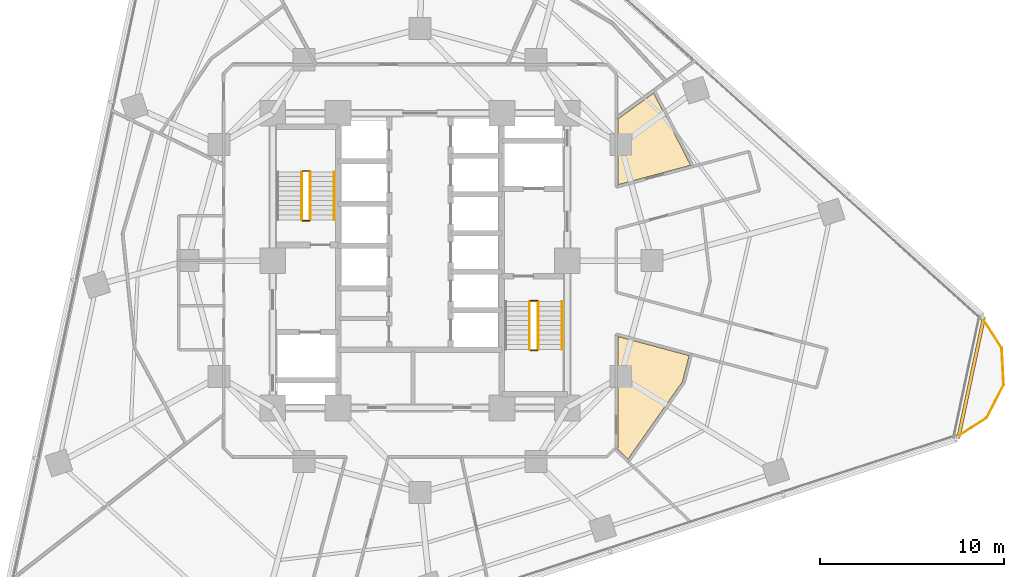
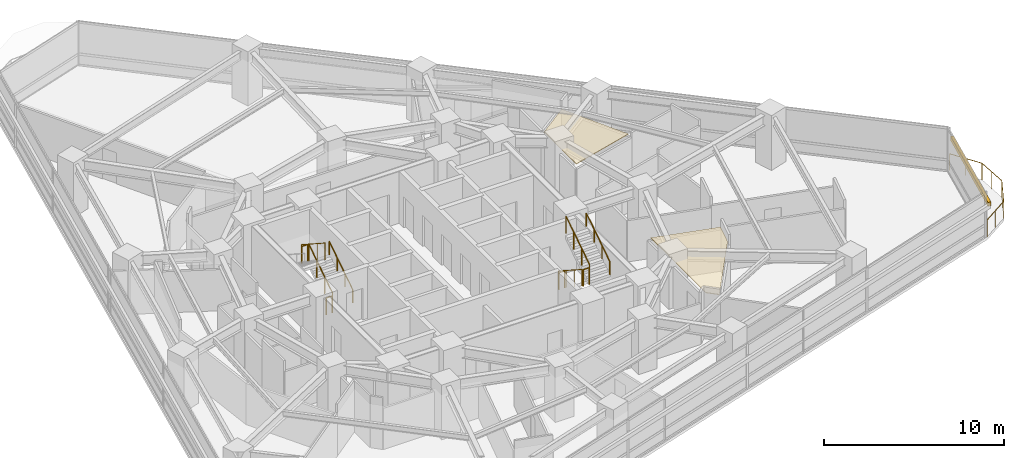
# One storey, part 12 of 13: 11 railings, 2 coverings, 1 shading device.
"""IFC4 building model written with IfcOpenShell, lengths in metres."""

from ifc_helpers import new_model, si_unit, direction, frame, origin, origin_2d, place, context, subcontext, project, spatial, polyline, rectangle, circle, outline, extrude, material, layer, layer_set, type_object, element, save


model = new_model("IFC4")

# Units and contexts
model_context = context("Model", 3, precision=1e-05, world=origin(), true_north=direction((0.0, 1.0)))
body_context = subcontext(model_context, "Body", "Model", "MODEL_VIEW")
ifc_project = project(units=[si_unit("LENGTHUNIT", "METRE"), si_unit("AREAUNIT", "SQUARE_METRE"), si_unit("VOLUMEUNIT", "CUBIC_METRE"), si_unit("PLANEANGLEUNIT", "RADIAN"), si_unit("MASSUNIT", "GRAM", prefix="KILO")], contexts=[model_context])

# Site, building, storey
site_placement = place(None, origin())
site = spatial("IfcSite", under=ifc_project, at=site_placement, CompositionType="ELEMENT")
building_placement = place(site_placement, origin())
building = spatial("IfcBuilding", under=site, at=building_placement, Name="Terralouvre Media Tower", CompositionType="ELEMENT")
storey_placement = place(building_placement, frame((0.0, 0.0, 101.39990234375)))
storey = spatial("IfcBuildingStorey", under=building, at=storey_placement, Name="L25", CompositionType="ELEMENT", Elevation=101.39990234375)

# Coverings
ifc_material_1 = material(Name="Perforated aluminium acoustic ceiling baffle", Category="aluminium")
ifc_layer_1 = layer(ifc_material_1, 0.0400390625, Name="Perforated Acoustic Metal Tile Ceiling CL-AC1")
ifc_layer_set_1 = layer_set([ifc_layer_1], Name="Perforated aluminium acoustic ceiling baffle")
covering_type = type_object("IfcCoveringType", Name="Perforated Acoustic Metal Tile Ceiling CL-AC1", PredefinedType="CEILING", material=ifc_layer_set_1)
covering_1_placement = place(storey_placement, frame((0.0, 0.0, 2.97998046875), z_axis=(0.0, 0.0, 1.0), x_axis=(0.951056516295, 0.309016994375, 0.0)))
element("IfcCovering", 1, at=covering_1_placement, inside=storey, type_object=covering_type, Name="L25 Club Reading Library 3 Acoustic Ceiling", PredefinedType="CEILING", context=body_context, shape_type="SweptSolid", body=[
    extrude(outline(polyline([(7.418212890625, -13.738525390625), (11.52783203125, -10.65625), (12.308837890625, -9.423828125), (8.949951171875, -7.242431640625), (7.08740234375, -12.97509765625), (7.083740234375, -12.984375), (7.07958984375, -12.9931640625), (7.07421875, -13.00146484375), (7.068359375, -13.00927734375), (7.0615234375, -13.016357421875), (7.05419921875, -13.022705078125), (7.046142578125, -13.0283203125), (7.04248046875, -13.030517578125), (7.418212890625, -13.738525390625)])), origin(), (0.0, 0.0, 1.0), 0.0400390625),
])
covering_2_placement = place(storey_placement, frame((0.0, 0.0, 2.97998046875), z_axis=(0.0, 0.0, 1.0), x_axis=(0.951056516295, 0.309016994375, 0.0)))
element("IfcCovering", 2, at=covering_2_placement, inside=storey, type_object=covering_type, Name="L25 Wellness Club Reception 5 Acoustic Ceiling", PredefinedType="CEILING", context=body_context, shape_type="SweptSolid", body=[
    extrude(outline(polyline([(12.599365234375, 3.98876953125), (11.497802734375, 0.5986328125), (15.578125, 0.385498046875), (14.880126953125, 4.729736328125), (12.599365234375, 3.98876953125)])), origin(), (0.0, 0.0, 1.0), 0.0400390625),
])

# Railings
ifc_material_2 = material(Name="Stainless steel 316 handrail and balustrade", Category="steel")
ifc_layer_2 = layer(ifc_material_2, 0.06005859375, Name="Roof Edge Safety Guardrail GR-ROOF1")
ifc_layer_set_2 = layer_set([ifc_layer_2], Name="Stainless steel 316 handrail and balustrade")
railing_type_1 = type_object("IfcRailingType", Name="Roof Edge Safety Guardrail GR-ROOF1", PredefinedType="GUARDRAIL", material=ifc_layer_set_2)
railing_1_placement = place(storey_placement, frame((29.105224609375, -9.6201171875, 0.0)))
element("IfcRailing", 3, at=railing_1_placement, inside=storey, type_object=railing_type_1, Name="L25 Wind-Corner Perimeter Safety Guardrail C1", PredefinedType="GUARDRAIL", context=body_context, shape_type="SweptSolid", body=[
    extrude(circle(Radius=0.02099609375, at=origin_2d()), frame((0.0, 0.0, 1.12890625), z_axis=(0.838760176544, 0.544501025016, 0.0), x_axis=(-0.544501025016, 0.838760176544, 0.0)), (0.0, 0.0, 1.0), 2.0078125),
    extrude(circle(Radius=0.02099609375, at=origin_2d()), frame((1.68408203125, 1.09326171875, 1.12890625), z_axis=(0.454107952828, 0.890946669099, 0.0), x_axis=(-0.890946669099, 0.454107952828, 0.0)), (0.0, 0.0, 1.0), 2.007568359375),
    extrude(circle(Radius=0.02099609375, at=origin_2d()), frame((2.595703125, 2.8818359375, 1.12890625), z_axis=(-0.052412032372, 0.998625544868, 0.0), x_axis=(-0.998625544868, -0.052412032372, 0.0)), (0.0, 0.0, 1.0), 2.007568359375),
    extrude(circle(Radius=0.02099609375, at=origin_2d()), frame((2.490478515625, 4.88671875, 1.12890625), z_axis=(-0.544868673015, 0.838521394579, 0.0), x_axis=(-0.838521394579, -0.544868673015, 0.0)), (0.0, 0.0, 1.0), 2.0078125),
    extrude(circle(Radius=0.01904296875, at=origin_2d()), origin(), (0.0, 0.0, 1.0), 1.10791015625),
    extrude(circle(Radius=0.01904296875, at=origin_2d()), frame((0.842041015625, 0.546630859375, 0.0)), (0.0, 0.0, 1.0), 1.10791015625),
    extrude(circle(Radius=0.01904296875, at=origin_2d()), frame((1.68408203125, 1.09326171875, 0.0)), (0.0, 0.0, 1.0), 1.10791015625),
    extrude(circle(Radius=0.01904296875, at=origin_2d()), frame((2.139892578125, 1.987548828125, 0.0)), (0.0, 0.0, 1.0), 1.10791015625),
    extrude(circle(Radius=0.01904296875, at=origin_2d()), frame((2.595703125, 2.8818359375, 0.0)), (0.0, 0.0, 1.0), 1.10791015625),
    extrude(circle(Radius=0.01904296875, at=origin_2d()), frame((2.54296875, 3.88427734375, 0.0)), (0.0, 0.0, 1.0), 1.10791015625),
    extrude(circle(Radius=0.01904296875, at=origin_2d()), frame((2.490478515625, 4.88671875, 0.0)), (0.0, 0.0, 1.0), 1.10791015625),
    extrude(circle(Radius=0.01904296875, at=origin_2d()), frame((1.943359375, 5.728515625, 0.0)), (0.0, 0.0, 1.0), 1.10791015625),
    extrude(circle(Radius=0.01904296875, at=origin_2d()), frame((1.396484375, 6.5703125, 0.0)), (0.0, 0.0, 1.0), 1.10791015625),
])
ifc_material_3 = material(Name="Stainless steel 316 handrail and balustrade", Category="steel")
ifc_layer_3 = layer(ifc_material_3, 0.050048828125, Name="Stair Flight Wall Handrail HR-INT1")
ifc_layer_set_3 = layer_set([ifc_layer_3], Name="Stainless steel 316 handrail and balustrade")
railing_type_2 = type_object("IfcRailingType", Name="Stair Flight Wall Handrail HR-INT1", PredefinedType="HANDRAIL", material=ifc_layer_set_3)
for number, where, name in (
    (4, (-4.64990234375, 2.219970703125, 0.168212890625), "L25 ST-01 stair handrail 1"),
    (5, (7.72998046875, -4.820068359375, 2.018310546875), "L25 ST-02 stair handrail 2"),
):
    element("IfcRailing", number, at=place(storey_placement, frame(where)), inside=storey, type_object=railing_type_2, Name=name, PredefinedType="HANDRAIL", context=body_context, shape_type="SweptSolid", body=[
        extrude(circle(Radius=0.02392578125, at=origin_2d()), frame((0.0, 0.0, 0.8759765625), z_axis=(0.0, 0.839648411786, 0.543130320075), x_axis=(-1.0, 0.0, 0.0)), (0.0, 0.0, 1.0), 3.0966796875),
        extrude(circle(Radius=0.02099609375, at=origin_2d()), origin(), (0.0, 0.0, 1.0), 0.851806640625),
        extrude(circle(Radius=0.02099609375, at=origin_2d()), frame((0.0, 0.86669921875, 0.560546875)), (0.0, 0.0, 1.0), 0.851806640625),
        extrude(circle(Radius=0.02099609375, at=origin_2d()), frame((0.0, 1.7333984375, 1.121337890625)), (0.0, 0.0, 1.0), 0.851806640625),
        extrude(circle(Radius=0.02099609375, at=origin_2d()), frame((0.0, 2.60009765625, 1.681884765625)), (0.0, 0.0, 1.0), 0.851806640625),
    ])
ifc_material_4 = material(Name="Stainless steel 316 handrail and balustrade", Category="steel")
ifc_layer_4 = layer(ifc_material_4, 0.050048828125, Name="Stairwell Safety Guardrail GR-INT1")
ifc_layer_set_4 = layer_set([ifc_layer_4], Name="Stainless steel 316 handrail and balustrade")
railing_type_3 = type_object("IfcRailingType", Name="Stairwell Safety Guardrail GR-INT1", PredefinedType="GUARDRAIL", material=ifc_layer_set_4)
railing_2_placement = place(storey_placement, frame((-5.949951171875, 2.219970703125, 0.168212890625)))
element("IfcRailing", 6, at=railing_2_placement, inside=storey, type_object=railing_type_3, Name="L25 ST-01 stair guard 1", PredefinedType="GUARDRAIL", context=body_context, shape_type="SweptSolid", body=[
    extrude(circle(Radius=0.02392578125, at=origin_2d()), frame((0.0, 0.0, 1.1259765625), z_axis=(0.0, 0.839648411786, 0.543130320075), x_axis=(-1.0, 0.0, 0.0)), (0.0, 0.0, 1.0), 3.0966796875),
    extrude(circle(Radius=0.02099609375, at=origin_2d()), origin(), (0.0, 0.0, 1.0), 1.101806640625),
    extrude(circle(Radius=0.02099609375, at=origin_2d()), frame((0.0, 0.86669921875, 0.560546875)), (0.0, 0.0, 1.0), 1.101806640625),
    extrude(circle(Radius=0.02099609375, at=origin_2d()), frame((0.0, 1.7333984375, 1.121337890625)), (0.0, 0.0, 1.0), 1.101806640625),
    extrude(circle(Radius=0.02099609375, at=origin_2d()), frame((0.0, 2.60009765625, 1.681884765625)), (0.0, 0.0, 1.0), 1.101806640625),
])
railing_3_placement = place(storey_placement, frame((-6.0, 4.8701171875, 1.85009765625)))
element("IfcRailing", 7, at=railing_3_placement, inside=storey, type_object=railing_type_3, Name="L25 ST-01 stair guard 2", PredefinedType="GUARDRAIL", context=body_context, shape_type="SweptSolid", body=[
    extrude(circle(Radius=0.02392578125, at=origin_2d()), frame((0.0, 0.0, 1.1259765625), z_axis=(-1.0, 0.0, 0.0), x_axis=(0.0, -1.0, 0.0)), (0.0, 0.0, 1.0), 0.3798828125),
    extrude(circle(Radius=0.02099609375, at=origin_2d()), origin(), (0.0, 0.0, 1.0), 1.101806640625),
    extrude(circle(Radius=0.02099609375, at=origin_2d()), frame((-0.3798828125, 0.0, 0.0)), (0.0, 0.0, 1.0), 1.101806640625),
])
railing_4_placement = place(storey_placement, frame((-6.429931640625, 4.820068359375, 2.018310546875)))
element("IfcRailing", 8, at=railing_4_placement, inside=storey, type_object=railing_type_3, Name="L25 ST-01 stair guard 3", PredefinedType="GUARDRAIL", context=body_context, shape_type="SweptSolid", body=[
    extrude(circle(Radius=0.02392578125, at=origin_2d()), frame((0.0, 0.0, 1.1259765625), z_axis=(0.0, -0.839648411786, 0.543130320075), x_axis=(1.0, 0.0, 0.0)), (0.0, 0.0, 1.0), 3.0966796875),
    extrude(circle(Radius=0.02099609375, at=origin_2d()), origin(), (0.0, 0.0, 1.0), 1.101806640625),
    extrude(circle(Radius=0.02099609375, at=origin_2d()), frame((0.0, -0.86669921875, 0.560546875)), (0.0, 0.0, 1.0), 1.101806640625),
    extrude(circle(Radius=0.02099609375, at=origin_2d()), frame((0.0, -1.7333984375, 1.121337890625)), (0.0, 0.0, 1.0), 1.101806640625),
    extrude(circle(Radius=0.02099609375, at=origin_2d()), frame((0.0, -2.60009765625, 1.681884765625)), (0.0, 0.0, 1.0), 1.101806640625),
])
railing_5_placement = place(storey_placement, frame((-6.0, 2.169921875, 0.0)))
element("IfcRailing", 9, at=railing_5_placement, inside=storey, type_object=railing_type_3, Name="L25 ST-01 stair guard 4", PredefinedType="GUARDRAIL", context=body_context, shape_type="SweptSolid", body=[
    extrude(circle(Radius=0.02392578125, at=origin_2d()), frame((0.0, 0.0, 1.1259765625), z_axis=(-1.0, 0.0, 0.0), x_axis=(0.0, -1.0, 0.0)), (0.0, 0.0, 1.0), 0.3798828125),
    extrude(circle(Radius=0.02099609375, at=origin_2d()), origin(), (0.0, 0.0, 1.0), 1.101806640625),
    extrude(circle(Radius=0.02099609375, at=origin_2d()), frame((-0.3798828125, 0.0, 0.0)), (0.0, 0.0, 1.0), 1.101806640625),
])
railing_6_placement = place(storey_placement, frame((5.949951171875, -2.219970703125, 0.168212890625)))
element("IfcRailing", 10, at=railing_6_placement, inside=storey, type_object=railing_type_3, Name="L25 ST-02 stair guard 1", PredefinedType="GUARDRAIL", context=body_context, shape_type="SweptSolid", body=[
    extrude(circle(Radius=0.02392578125, at=origin_2d()), frame((0.0, 0.0, 1.1259765625), z_axis=(0.0, -0.839648411786, 0.543130320075), x_axis=(1.0, 0.0, 0.0)), (0.0, 0.0, 1.0), 3.0966796875),
    extrude(circle(Radius=0.02099609375, at=origin_2d()), origin(), (0.0, 0.0, 1.0), 1.101806640625),
    extrude(circle(Radius=0.02099609375, at=origin_2d()), frame((0.0, -0.86669921875, 0.560546875)), (0.0, 0.0, 1.0), 1.101806640625),
    extrude(circle(Radius=0.02099609375, at=origin_2d()), frame((0.0, -1.7333984375, 1.121337890625)), (0.0, 0.0, 1.0), 1.101806640625),
    extrude(circle(Radius=0.02099609375, at=origin_2d()), frame((0.0, -2.60009765625, 1.681884765625)), (0.0, 0.0, 1.0), 1.101806640625),
])
railing_7_placement = place(storey_placement, frame((6.0, -4.8701171875, 1.85009765625)))
element("IfcRailing", 11, at=railing_7_placement, inside=storey, type_object=railing_type_3, Name="L25 ST-02 stair guard 2", PredefinedType="GUARDRAIL", context=body_context, shape_type="SweptSolid", body=[
    extrude(circle(Radius=0.02392578125, at=origin_2d()), frame((0.0, 0.0, 1.1259765625), z_axis=(1.0, 0.0, 0.0), x_axis=(0.0, 1.0, 0.0)), (0.0, 0.0, 1.0), 0.3798828125),
    extrude(circle(Radius=0.02099609375, at=origin_2d()), origin(), (0.0, 0.0, 1.0), 1.101806640625),
    extrude(circle(Radius=0.02099609375, at=origin_2d()), frame((0.3798828125, 0.0, 0.0)), (0.0, 0.0, 1.0), 1.101806640625),
])
railing_8_placement = place(storey_placement, frame((6.429931640625, -4.820068359375, 2.018310546875)))
element("IfcRailing", 12, at=railing_8_placement, inside=storey, type_object=railing_type_3, Name="L25 ST-02 stair guard 3", PredefinedType="GUARDRAIL", context=body_context, shape_type="SweptSolid", body=[
    extrude(circle(Radius=0.02392578125, at=origin_2d()), frame((0.0, 0.0, 1.1259765625), z_axis=(0.0, 0.839648411786, 0.543130320075), x_axis=(-1.0, 0.0, 0.0)), (0.0, 0.0, 1.0), 3.0966796875),
    extrude(circle(Radius=0.02099609375, at=origin_2d()), origin(), (0.0, 0.0, 1.0), 1.101806640625),
    extrude(circle(Radius=0.02099609375, at=origin_2d()), frame((0.0, 0.86669921875, 0.560546875)), (0.0, 0.0, 1.0), 1.101806640625),
    extrude(circle(Radius=0.02099609375, at=origin_2d()), frame((0.0, 1.7333984375, 1.121337890625)), (0.0, 0.0, 1.0), 1.101806640625),
    extrude(circle(Radius=0.02099609375, at=origin_2d()), frame((0.0, 2.60009765625, 1.681884765625)), (0.0, 0.0, 1.0), 1.101806640625),
])
railing_9_placement = place(storey_placement, frame((6.0, -2.169921875, 0.0)))
element("IfcRailing", 13, at=railing_9_placement, inside=storey, type_object=railing_type_3, Name="L25 ST-02 stair guard 4", PredefinedType="GUARDRAIL", context=body_context, shape_type="SweptSolid", body=[
    extrude(circle(Radius=0.02392578125, at=origin_2d()), frame((0.0, 0.0, 1.1259765625), z_axis=(1.0, 0.0, 0.0), x_axis=(0.0, 1.0, 0.0)), (0.0, 0.0, 1.0), 0.3798828125),
    extrude(circle(Radius=0.02099609375, at=origin_2d()), origin(), (0.0, 0.0, 1.0), 1.101806640625),
    extrude(circle(Radius=0.02099609375, at=origin_2d()), frame((0.3798828125, 0.0, 0.0)), (0.0, 0.0, 1.0), 1.101806640625),
])

# Shading device
ifc_material_5 = material(Name="Extruded terracotta baguette sunshade louvres", Category="masonry")
shading_device_type = type_object("IfcShadingDeviceType", Name="Terracotta Baguette Sunshade Louvre Screen TB-LV1", PredefinedType="USERDEFINED", material=ifc_material_5)
shading_device_placement = place(storey_placement, frame((29.935302734375, -6.363037109375, 2.02392578125), z_axis=(0.0, 0.0, 1.0), x_axis=(0.207911611348, 0.978147617626, 0.0)))
element("IfcShadingDevice", 14, at=shading_device_placement, inside=storey, type_object=shading_device_type, Name="CW-L25-C1 Terracotta Baguette Sunshade Louvre", ObjectType="BAGUETTE", PredefinedType="USERDEFINED", context=body_context, shape_type="SweptSolid", body=[
    extrude(rectangle(XDim=6.720458984375, YDim=0.179931640625, at=origin_2d()), origin(), (0.0, 0.0, 1.0), 0.280029296875),
])

save(model, "model.ifc")
